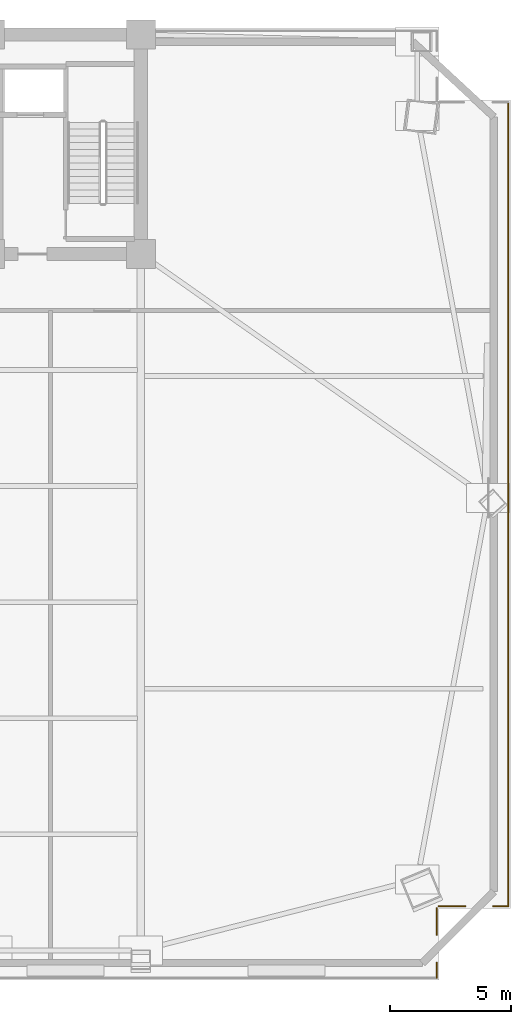
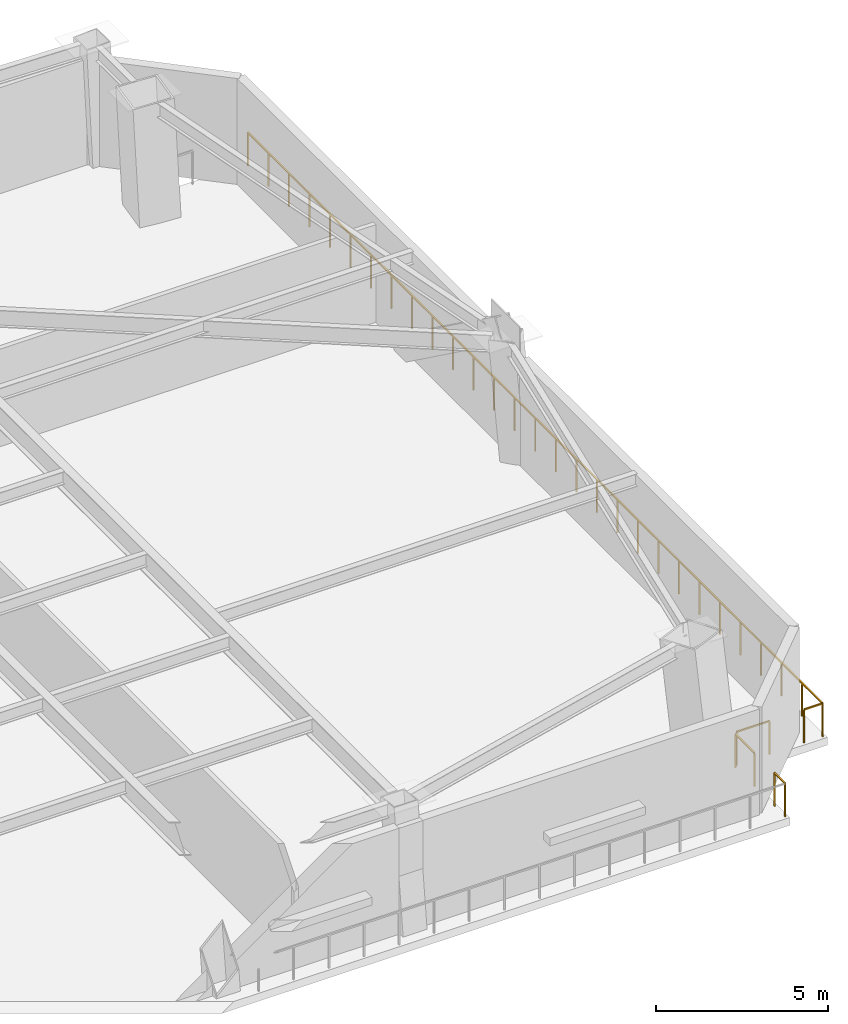
# One storey, part 7 of 9: 5 railings.
"""IFC4 building model written with IfcOpenShell, lengths in metres."""

import ifcopenshell
import ifcopenshell.guid

model = None  # the IFC model being written
_history = None  # IfcOwnerHistory: only IFC2X3 demands one
_inside = {}  # id of a spatial element -> (the spatial element, [elements in it])
_under = {}  # id of a project, library or spatial element -> (it, [spatial elements below it])
_declared = {}  # id of a project -> (the project, [libraries it declares])
_typed = {}  # id of a type object -> (the type object, [elements of that type])
_made_of = {}  # id of a material, layer set ... -> (it, [elements and type objects made of it])


def new_model(schema):
    """Start an empty IFC model of exactly this schema.

    Asked for "IFC4X3", IfcOpenShell would pick the latest addendum, in which some entities
    have other attributes; the version numbers below select the first issue.
    IFC2X3 requires an IfcOwnerHistory on every rooted entity: one is made here for all.
    """
    global model, _history
    if schema == "IFC4X3":
        model = ifcopenshell.file(schema_version=(4, 3, 0, 0))
    else:
        model = ifcopenshell.file(schema=schema)
    _inside.clear()
    _under.clear()
    _declared.clear()
    _typed.clear()
    _made_of.clear()
    _history = None
    if model.schema == "IFC2X3":
        org = make("IfcOrganization", Name="unknown")
        user = make(
            "IfcPersonAndOrganization",
            ThePerson=make("IfcPerson", FamilyName="unknown"),
            TheOrganization=org,
        )
        app = make(
            "IfcApplication",
            ApplicationDeveloper=org,
            Version="unknown",
            ApplicationFullName="unknown",
            ApplicationIdentifier="unknown",
        )
        _history = make(
            "IfcOwnerHistory",
            OwningUser=user,
            OwningApplication=app,
            ChangeAction="ADDED",
            CreationDate=0,
        )
    return model


def make(cls, **values):
    """One entity of the class cls with the attributes given. An attribute that is None is left unset."""
    return model.create_entity(
        cls, **{name: value for name, value in values.items() if value is not None}
    )


def rooted(cls, **values):
    """An entity with a GlobalId (a new one), such as an element, a storey or a relation."""
    return make(cls, GlobalId=ifcopenshell.guid.new(), OwnerHistory=_history, **values)


def si_unit(unit_type, name, prefix=None):
    """IfcSIUnit, for example si_unit("LENGTHUNIT", "METRE", prefix="MILLI")."""
    return make("IfcSIUnit", UnitType=unit_type, Prefix=prefix, Name=name)


def assignment(units):
    """IfcUnitAssignment: the units of a project."""
    return None if units is None else make("IfcUnitAssignment", Units=units)


def point(xyz):
    """IfcCartesianPoint."""
    return None if xyz is None else make("IfcCartesianPoint", Coordinates=xyz)


def direction(xyz):
    """IfcDirection."""
    return None if xyz is None else make("IfcDirection", DirectionRatios=xyz)


def frame(location, z_axis=None, x_axis=None):
    """IfcAxis2Placement3D, a coordinate frame: its origin and axes. An axis left out is left unset."""
    return make(
        "IfcAxis2Placement3D",
        Location=point(location),
        Axis=direction(z_axis),
        RefDirection=direction(x_axis),
    )


def frame_2d(location, x_axis=None):
    """IfcAxis2Placement2D, a coordinate frame in the plane: its origin and x axis."""
    return make(
        "IfcAxis2Placement2D", Location=point(location), RefDirection=direction(x_axis)
    )


def origin():
    """The frame at (0, 0, 0) with its axes left unset."""
    return frame((0.0, 0.0, 0.0))


def origin_2d():
    """The frame at (0, 0) in the plane with its x axis left unset."""
    return frame_2d((0.0, 0.0))


def place(relative_to, where):
    """IfcLocalPlacement: puts the frame where relative to a parent placement (None: the world)."""
    return make(
        "IfcLocalPlacement", PlacementRelTo=relative_to, RelativePlacement=where
    )


def context(
    kind, dimensions, precision=None, world=None, true_north=None, identifier=None
):
    """IfcGeometricRepresentationContext, for example the 3D "Model" context."""
    return make(
        "IfcGeometricRepresentationContext",
        ContextIdentifier=identifier,
        ContextType=kind,
        CoordinateSpaceDimension=dimensions,
        Precision=precision,
        WorldCoordinateSystem=world,
        TrueNorth=true_north,
    )


def subcontext(parent, identifier, kind, view, scale=None):
    """IfcGeometricRepresentationSubContext, for example "Body" below "Model"."""
    return make(
        "IfcGeometricRepresentationSubContext",
        ContextIdentifier=identifier,
        ContextType=kind,
        ParentContext=parent,
        TargetScale=scale,
        TargetView=view,
    )


def project(units=None, contexts=None):
    """IfcProject with its units and contexts."""
    return rooted(
        "IfcProject",
        Name="project",
        RepresentationContexts=contexts,
        UnitsInContext=assignment(units),
    )


def spatial(cls, under=None, at=None, **own):
    """A site, building, storey or space (cls), placed at a placement, below another one or the project."""
    s = rooted(cls, ObjectPlacement=at, **own)
    if under is not None:
        _under.setdefault(under.id(), (under, []))[1].append(s)
    return s


def profile(cls, at=None, kind="AREA", **sizes):
    """A parametric profile (cls). Its sizes go by their IFC names, for example OverallWidth=200.0."""
    return make(cls, ProfileType=kind, Position=at, **sizes)


def rectangle(**sizes):
    """IfcRectangleProfileDef."""
    return profile("IfcRectangleProfileDef", **sizes)


def extrude(swept, where, along, depth):
    """IfcExtrudedAreaSolid: the profile swept, set in the frame where, extruded along a direction by depth."""
    return make(
        "IfcExtrudedAreaSolid",
        SweptArea=swept,
        Position=where,
        ExtrudedDirection=direction(along),
        Depth=depth,
    )


def shape(context_of_items, identifier, shape_type, items):
    """IfcShapeRepresentation: the items that make up one representation, for example the "Body"."""
    return make(
        "IfcShapeRepresentation",
        ContextOfItems=context_of_items,
        RepresentationIdentifier=identifier,
        RepresentationType=shape_type,
        Items=items,
    )


def material(Name=None, Category=None):
    """IfcMaterial."""
    return make("IfcMaterial", Name=Name, Category=Category)


def made_of(thing, what):
    """Note that an element or type object is made of a material, layer set ...; save() writes the relation."""
    if what is not None:
        _made_of.setdefault(what.id(), (what, []))[1].append(thing)
    return thing


def type_object(cls, material=None, **own):
    """A type object (cls), such as IfcWallType, which elements share."""
    return made_of(rooted(cls, **own), material)


def element(
    cls,
    number,
    at=None,
    inside=None,
    cuts=None,
    type_object=None,
    material=None,
    context=None,
    identifier="Body",
    shape_type=None,
    held_by="IfcProductDefinitionShape",
    body=None,
    shapes=None,
    **own,
):
    """One element of the class cls, such as IfcWall. Its Tag is "e" and its number.

    at: its placement. inside: the storey or other place that contains it. cuts: it is an
    opening in that element (IfcRelVoidsElement). A single representation is given by context,
    identifier, shape_type and body (its items); several are given by shapes. held_by: the class
    of the entity that holds the representations. save() writes the other relations.
    """
    e = rooted(cls, Tag="e%d" % number, ObjectPlacement=at, **own)
    if body is not None:
        shapes = [shape(context, identifier, shape_type, body)]
    if shapes is not None:
        e.Representation = make(held_by, Representations=shapes)
    if inside is not None:
        _inside.setdefault(inside.id(), (inside, []))[1].append(e)
    if cuts is not None:
        rooted(
            "IfcRelVoidsElement", RelatingBuildingElement=cuts, RelatedOpeningElement=e
        )
    if type_object is not None:
        _typed.setdefault(type_object.id(), (type_object, []))[1].append(e)
    return made_of(e, material)


def aggregate(whole, parts):
    """IfcRelAggregates: a whole, such as a stair, and the parts it consists of."""
    return rooted("IfcRelAggregates", RelatingObject=whole, RelatedObjects=parts)


def save(model, path):
    """Write the relations noted so far, then the file.

    IfcRelAggregates (storeys below a building ...), IfcRelContainedInSpatialStructure (elements
    in a storey), IfcRelDefinesByType, IfcRelAssociatesMaterial and IfcRelDeclares: one each for
    every whole, place, type object, material and project.
    """
    for whole, parts in _under.values():
        aggregate(whole, parts)
    for where, things in _inside.values():
        rooted(
            "IfcRelContainedInSpatialStructure",
            RelatedElements=things,
            RelatingStructure=where,
        )
    for kind, things in _typed.values():
        rooted("IfcRelDefinesByType", RelatedObjects=things, RelatingType=kind)
    for what, things in _made_of.values():
        rooted("IfcRelAssociatesMaterial", RelatedObjects=things, RelatingMaterial=what)
    for by, libraries in _declared.values():
        rooted("IfcRelDeclares", RelatingContext=by, RelatedDefinitions=libraries)
    model.write(path)


model = new_model("IFC4")

# Units and contexts
model_context = context("Model", 3, precision=1e-05, world=origin(), true_north=direction((0.0, 1.0)))
body_context = subcontext(model_context, "Body", "Model", "MODEL_VIEW")
ifc_project = project(units=[si_unit("LENGTHUNIT", "METRE"), si_unit("AREAUNIT", "SQUARE_METRE"), si_unit("VOLUMEUNIT", "CUBIC_METRE"), si_unit("PLANEANGLEUNIT", "RADIAN"), si_unit("MASSUNIT", "GRAM", prefix="KILO")], contexts=[model_context])

# Site, building, storey
site_placement = place(None, origin())
site = spatial("IfcSite", under=ifc_project, at=site_placement, CompositionType="ELEMENT")
building_placement = place(site_placement, origin())
building = spatial("IfcBuilding", under=site, at=building_placement, Name="Giltprow Tower", CompositionType="ELEMENT")
storey_placement = place(building_placement, frame((0.0, 0.0, 144.699951171875)))
storey = spatial("IfcBuildingStorey", under=building, at=storey_placement, Name="L35", CompositionType="ELEMENT", Elevation=144.699951171875)

# Railings
ifc_material = material(Name="Anodized bronze", Category="metal")
railing_type = type_object("IfcRailingType", Name="RAIL-BALC-GUARD-1200", PredefinedType="BALUSTRADE", material=ifc_material)
railing_1_placement = place(storey_placement, frame((65.785888671875, 43.73388671875, 0.0)))
element("IfcRailing", 1, at=railing_1_placement, inside=storey, type_object=railing_type, Name="L35 Corner Apron Edge Balustrade 16", PredefinedType="BALUSTRADE", context=body_context, shape_type="SweptSolid", body=[
    extrude(rectangle(XDim=0.048095703125, YDim=0.048095703125, at=origin_2d()), frame((0.0, 0.0, 1.17578125), z_axis=(0.0, -1.0, 0.0), x_axis=(1.0, 0.0, 0.0)), (0.0, 0.0, 1.0), 33.324951171875),
    extrude(rectangle(XDim=0.0419921875, YDim=0.0419921875, at=origin_2d()), origin(), (0.0, 0.0, 1.0), 1.15185546875),
    extrude(rectangle(XDim=0.0419921875, YDim=0.0419921875, at=origin_2d()), frame((0.0, -1.190185546875, 0.0)), (0.0, 0.0, 1.0), 1.15185546875),
    extrude(rectangle(XDim=0.0419921875, YDim=0.0419921875, at=origin_2d()), frame((0.0, -2.38037109375, 0.0)), (0.0, 0.0, 1.0), 1.15185546875),
    extrude(rectangle(XDim=0.0419921875, YDim=0.0419921875, at=origin_2d()), frame((0.0, -3.570556640625, 0.0)), (0.0, 0.0, 1.0), 1.15185546875),
    extrude(rectangle(XDim=0.0419921875, YDim=0.0419921875, at=origin_2d()), frame((0.0, -4.7607421875, 0.0)), (0.0, 0.0, 1.0), 1.15185546875),
    extrude(rectangle(XDim=0.0419921875, YDim=0.0419921875, at=origin_2d()), frame((0.0, -5.950927734375, 0.0)), (0.0, 0.0, 1.0), 1.15185546875),
    extrude(rectangle(XDim=0.0419921875, YDim=0.0419921875, at=origin_2d()), frame((0.0, -7.14111328125, 0.0)), (0.0, 0.0, 1.0), 1.15185546875),
    extrude(rectangle(XDim=0.0419921875, YDim=0.0419921875, at=origin_2d()), frame((0.0, -8.331298828125, 0.0)), (0.0, 0.0, 1.0), 1.15185546875),
    extrude(rectangle(XDim=0.0419921875, YDim=0.0419921875, at=origin_2d()), frame((0.0, -9.521484375, 0.0)), (0.0, 0.0, 1.0), 1.15185546875),
    extrude(rectangle(XDim=0.0419921875, YDim=0.0419921875, at=origin_2d()), frame((0.0, -10.711669921875, 0.0)), (0.0, 0.0, 1.0), 1.15185546875),
    extrude(rectangle(XDim=0.0419921875, YDim=0.0419921875, at=origin_2d()), frame((0.0, -11.90185546875, 0.0)), (0.0, 0.0, 1.0), 1.15185546875),
    extrude(rectangle(XDim=0.0419921875, YDim=0.0419921875, at=origin_2d()), frame((0.0, -13.092041015625, 0.0)), (0.0, 0.0, 1.0), 1.15185546875),
    extrude(rectangle(XDim=0.0419921875, YDim=0.0419921875, at=origin_2d()), frame((0.0, -14.2822265625, 0.0)), (0.0, 0.0, 1.0), 1.15185546875),
    extrude(rectangle(XDim=0.0419921875, YDim=0.0419921875, at=origin_2d()), frame((0.0, -15.472412109375, 0.0)), (0.0, 0.0, 1.0), 1.15185546875),
    extrude(rectangle(XDim=0.0419921875, YDim=0.0419921875, at=origin_2d()), frame((0.0, -16.66259765625, 0.0)), (0.0, 0.0, 1.0), 1.15185546875),
    extrude(rectangle(XDim=0.0419921875, YDim=0.0419921875, at=origin_2d()), frame((0.0, -17.8525390625, 0.0)), (0.0, 0.0, 1.0), 1.15185546875),
    extrude(rectangle(XDim=0.0419921875, YDim=0.0419921875, at=origin_2d()), frame((0.0, -19.042724609375, 0.0)), (0.0, 0.0, 1.0), 1.15185546875),
    extrude(rectangle(XDim=0.0419921875, YDim=0.0419921875, at=origin_2d()), frame((0.0, -20.23291015625, 0.0)), (0.0, 0.0, 1.0), 1.15185546875),
    extrude(rectangle(XDim=0.0419921875, YDim=0.0419921875, at=origin_2d()), frame((0.0, -21.423095703125, 0.0)), (0.0, 0.0, 1.0), 1.15185546875),
    extrude(rectangle(XDim=0.0419921875, YDim=0.0419921875, at=origin_2d()), frame((0.0, -22.61328125, 0.0)), (0.0, 0.0, 1.0), 1.15185546875),
    extrude(rectangle(XDim=0.0419921875, YDim=0.0419921875, at=origin_2d()), frame((0.0, -23.803466796875, 0.0)), (0.0, 0.0, 1.0), 1.15185546875),
    extrude(rectangle(XDim=0.0419921875, YDim=0.0419921875, at=origin_2d()), frame((0.0, -24.99365234375, 0.0)), (0.0, 0.0, 1.0), 1.15185546875),
    extrude(rectangle(XDim=0.0419921875, YDim=0.0419921875, at=origin_2d()), frame((0.0, -26.183837890625, 0.0)), (0.0, 0.0, 1.0), 1.15185546875),
    extrude(rectangle(XDim=0.0419921875, YDim=0.0419921875, at=origin_2d()), frame((0.0, -27.3740234375, 0.0)), (0.0, 0.0, 1.0), 1.15185546875),
    extrude(rectangle(XDim=0.0419921875, YDim=0.0419921875, at=origin_2d()), frame((0.0, -28.564208984375, 0.0)), (0.0, 0.0, 1.0), 1.15185546875),
    extrude(rectangle(XDim=0.0419921875, YDim=0.0419921875, at=origin_2d()), frame((0.0, -29.75439453125, 0.0)), (0.0, 0.0, 1.0), 1.15185546875),
    extrude(rectangle(XDim=0.0419921875, YDim=0.0419921875, at=origin_2d()), frame((0.0, -30.944580078125, 0.0)), (0.0, 0.0, 1.0), 1.15185546875),
    extrude(rectangle(XDim=0.0419921875, YDim=0.0419921875, at=origin_2d()), frame((0.0, -32.134765625, 0.0)), (0.0, 0.0, 1.0), 1.15185546875),
    extrude(rectangle(XDim=0.0419921875, YDim=0.0419921875, at=origin_2d()), frame((0.0, -33.324951171875, 0.0)), (0.0, 0.0, 1.0), 1.15185546875),
])
railing_2_placement = place(storey_placement, frame((65.785888671875, 10.408935546875, 0.0)))
element("IfcRailing", 2, at=railing_2_placement, inside=storey, type_object=railing_type, Name="L35 Corner Apron Edge Balustrade 17", PredefinedType="BALUSTRADE", context=body_context, shape_type="SweptSolid", body=[
    extrude(rectangle(XDim=0.048095703125, YDim=0.048095703125, at=origin_2d()), frame((0.0, 0.0, 1.17578125), z_axis=(-1.0, 0.0, 0.0), x_axis=(0.0, -1.0, 0.0)), (0.0, 0.0, 1.0), 0.620849609375),
    extrude(rectangle(XDim=0.0419921875, YDim=0.0419921875, at=origin_2d()), origin(), (0.0, 0.0, 1.0), 1.15185546875),
    extrude(rectangle(XDim=0.0419921875, YDim=0.0419921875, at=origin_2d()), frame((-0.620849609375, 0.0, 0.0)), (0.0, 0.0, 1.0), 1.15185546875),
])
railing_3_placement = place(storey_placement, frame((64.0048828125, 10.408935546875, 0.0)))
element("IfcRailing", 3, at=railing_3_placement, inside=storey, type_object=railing_type, Name="L35 Corner Apron Edge Balustrade 18", PredefinedType="BALUSTRADE", context=body_context, shape_type="SweptSolid", body=[
    extrude(rectangle(XDim=0.048095703125, YDim=0.048095703125, at=origin_2d()), frame((0.0, 0.0, 1.17578125), z_axis=(-1.0, 0.0, 0.0), x_axis=(0.0, -1.0, 0.0)), (0.0, 0.0, 1.0), 1.098876953125),
    extrude(rectangle(XDim=0.0419921875, YDim=0.0419921875, at=origin_2d()), origin(), (0.0, 0.0, 1.0), 1.15185546875),
    extrude(rectangle(XDim=0.0419921875, YDim=0.0419921875, at=origin_2d()), frame((-1.098876953125, 0.0, 0.0)), (0.0, 0.0, 1.0), 1.15185546875),
])
railing_4_placement = place(storey_placement, frame((62.821044921875, 10.324951171875, 0.0)))
element("IfcRailing", 4, at=railing_4_placement, inside=storey, type_object=railing_type, Name="L35 Corner Apron Edge Balustrade 19", PredefinedType="BALUSTRADE", context=body_context, shape_type="SweptSolid", body=[
    extrude(rectangle(XDim=0.048095703125, YDim=0.048095703125, at=origin_2d()), frame((0.0, 0.0, 1.17578125), z_axis=(0.0, -1.0, 0.0), x_axis=(1.0, 0.0, 0.0)), (0.0, 0.0, 1.0), 1.099853515625),
    extrude(rectangle(XDim=0.0419921875, YDim=0.0419921875, at=origin_2d()), origin(), (0.0, 0.0, 1.0), 1.15185546875),
    extrude(rectangle(XDim=0.0419921875, YDim=0.0419921875, at=origin_2d()), frame((0.0, -1.099853515625, 0.0)), (0.0, 0.0, 1.0), 1.15185546875),
])
railing_5_placement = place(storey_placement, frame((62.821044921875, 8.06494140625, 0.0)))
element("IfcRailing", 5, at=railing_5_placement, inside=storey, type_object=railing_type, Name="L35 Corner Apron Edge Balustrade 20", PredefinedType="BALUSTRADE", context=body_context, shape_type="SweptSolid", body=[
    extrude(rectangle(XDim=0.048095703125, YDim=0.048095703125, at=origin_2d()), frame((0.0, 0.0, 1.17578125), z_axis=(0.0, -1.0, 0.0), x_axis=(1.0, 0.0, 0.0)), (0.0, 0.0, 1.0), 0.619873046875),
    extrude(rectangle(XDim=0.0419921875, YDim=0.0419921875, at=origin_2d()), origin(), (0.0, 0.0, 1.0), 1.15185546875),
    extrude(rectangle(XDim=0.0419921875, YDim=0.0419921875, at=origin_2d()), frame((0.0, -0.619873046875, 0.0)), (0.0, 0.0, 1.0), 1.15185546875),
])

save(model, "model.ifc")
